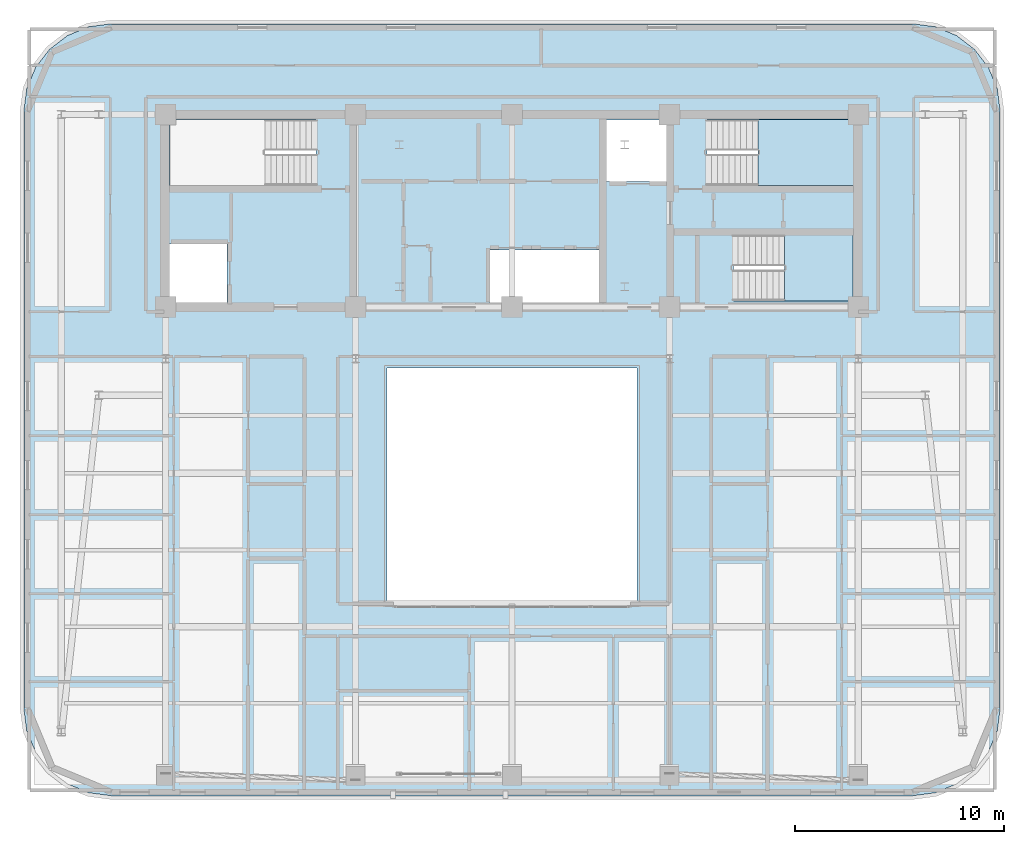
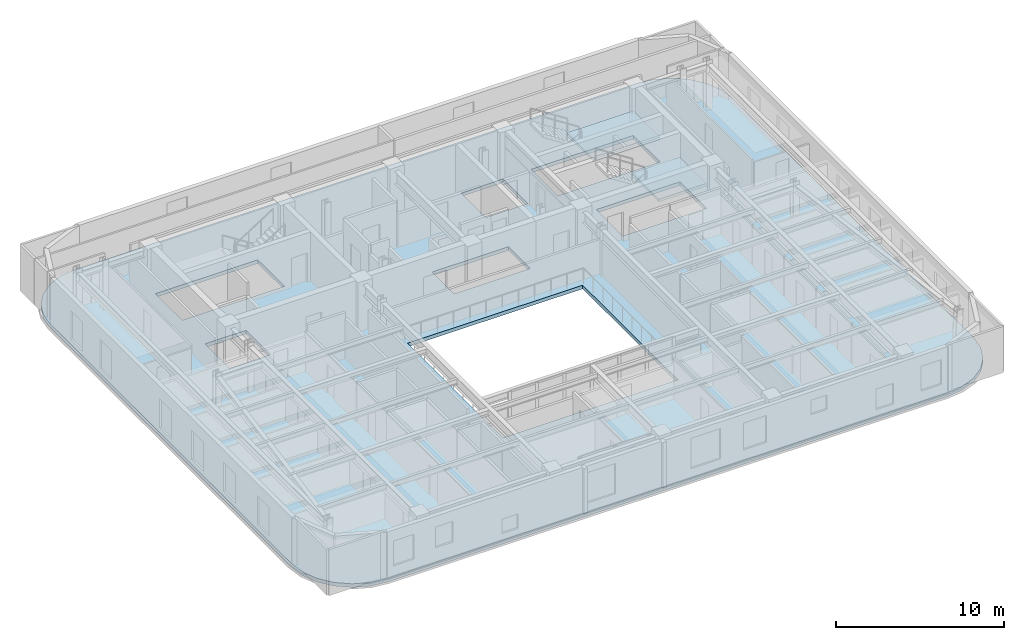
# One storey, part 4 of 14: 3 slabs, 2 elements without a shape of their own.
"""IFC4 building model written with IfcOpenShell, lengths in metres."""

from ifc_helpers import new_model, si_unit, direction, frame, origin, place, context, subcontext, project, spatial, polyline, outline, extrude, material, layer, layer_set, type_object, element, aggregate, save


model = new_model("IFC4")

# Units and contexts
model_context = context("Model", 3, precision=1e-05, world=origin(), true_north=direction((0.0, 1.0)))
body_context = subcontext(model_context, "Body", "Model", "MODEL_VIEW")
ifc_project = project(units=[si_unit("LENGTHUNIT", "METRE"), si_unit("AREAUNIT", "SQUARE_METRE"), si_unit("VOLUMEUNIT", "CUBIC_METRE"), si_unit("PLANEANGLEUNIT", "RADIAN"), si_unit("MASSUNIT", "GRAM", prefix="KILO")], contexts=[model_context])

# Site, building, storey
site_placement = place(None, origin())
site = spatial("IfcSite", under=ifc_project, at=site_placement, CompositionType="ELEMENT")
building_placement = place(site_placement, origin())
building = spatial("IfcBuilding", under=site, at=building_placement, Name="Zarnavel Station Tower", CompositionType="ELEMENT")
storey_placement = place(building_placement, frame((0.0, 0.0, 229.199951171875)))
storey = spatial("IfcBuildingStorey", under=building, at=storey_placement, Name="L62", CompositionType="ELEMENT", Elevation=229.199951171875)

# Slab
ifc_material_1 = material(Name="Concrete C45/55", Category="concrete")
ifc_layer_1 = layer(ifc_material_1, 0.260009765625)
ifc_layer_set_1 = layer_set([ifc_layer_1], Name="SL_FLR_260")
slab_type_1 = type_object("IfcSlabType", Name="SL_FLR_260", PredefinedType="FLOOR", material=ifc_layer_set_1)
slab_1_placement = place(storey_placement, frame((0.0, 0.0, -0.260009765625)))
element("IfcSlab", 1, at=slab_1_placement, inside=storey, type_object=slab_type_1, Name="L62 Structural Floor Slab", PredefinedType="FLOOR", context=body_context, shape_type="SweptSolid", body=[
    extrude(outline(polyline([(48.0, 4.39990234375), (49.0869140625, 4.543212890625), (50.10009765625, 4.962646484375), (50.9697265625, 5.630126953125), (51.63720703125, 6.5), (52.056884765625, 7.512939453125), (52.199951171875, 8.60009765625), (52.199951171875, 37.199951171875), (52.056884765625, 38.287109375), (51.63720703125, 39.300048828125), (50.9697265625, 40.169921875), (50.10009765625, 40.83740234375), (49.0869140625, 41.2568359375), (48.0, 41.39990234375), (9.60009765625, 41.39990234375), (8.512939453125, 41.2568359375), (7.5, 40.83740234375), (6.630126953125, 40.169921875), (5.962646484375, 39.300048828125), (5.543212890625, 38.287109375), (5.39990234375, 37.199951171875), (5.39990234375, 8.60009765625), (5.543212890625, 7.512939453125), (5.962646484375, 6.5), (6.630126953125, 5.630126953125), (7.5, 4.962646484375), (8.512939453125, 4.543212890625), (9.60009765625, 4.39990234375), (48.0, 4.39990234375)]), holes=[polyline([(12.39990234375, 33.659912109375), (19.409912109375, 33.659912109375), (19.409912109375, 36.820068359375), (12.39990234375, 36.820068359375), (12.39990234375, 33.659912109375)]), polyline([(38.14990234375, 33.659912109375), (45.159912109375, 33.659912109375), (45.159912109375, 36.820068359375), (38.14990234375, 36.820068359375), (38.14990234375, 33.659912109375)]), polyline([(39.419921875, 28.1201171875), (45.14990234375, 28.1201171875), (45.14990234375, 31.280029296875), (39.419921875, 31.280029296875), (39.419921875, 28.1201171875)]), polyline([(12.35009765625, 27.949951171875), (15.14990234375, 27.949951171875), (15.14990234375, 30.85009765625), (12.35009765625, 30.85009765625), (12.35009765625, 27.949951171875)]), polyline([(33.320068359375, 33.85009765625), (36.2099609375, 33.85009765625), (36.2099609375, 36.780029296875), (33.320068359375, 36.780029296875), (33.320068359375, 33.85009765625)]), polyline([(27.75, 27.949951171875), (32.97998046875, 27.949951171875), (32.97998046875, 30.550048828125), (27.75, 30.550048828125), (27.75, 27.949951171875)]), polyline([(22.800048828125, 13.60009765625), (34.800048828125, 13.60009765625), (34.800048828125, 24.89990234375), (22.800048828125, 24.89990234375), (22.800048828125, 13.60009765625)])]), origin(), (0.0, 0.0, 1.0), 0.260009765625),
])

# Stair, slab
ifc_material_2 = material(Name="Concrete C45/55", Category="concrete")
stair_type = type_object("IfcStairType", Name="ST_CORE_150", PredefinedType="HALF_TURN_STAIR", material=ifc_material_2)
stair_1_placement = place(storey_placement, origin())
stair_1 = element("IfcStair", 2, at=stair_1_placement, inside=storey, type_object=stair_type, Name="L62 Core Exit Stair ST2", PredefinedType="HALF_TURN_STAIR")
ifc_material_3 = material(Name="Concrete C45/55", Category="concrete")
ifc_layer_2 = layer(ifc_material_3, 0.199951171875)
ifc_layer_set_2 = layer_set([ifc_layer_2], Name="SL_STAIR_LAND_200")
slab_type_2 = type_object("IfcSlabType", Name="SL_STAIR_LAND_200", PredefinedType="LANDING", material=ifc_layer_set_2)
slab_2_placement = place(storey_placement, frame((0.0, 0.0, 1.60009765625)))
slab_2 = element("IfcSlab", 3, at=slab_2_placement, type_object=slab_type_2, Name="ST2 landing 1", PredefinedType="LANDING", context=body_context, shape_type="SweptSolid", body=[
    extrude(outline(polyline([(40.60009765625, 33.659912109375), (45.159912109375, 33.659912109375), (45.159912109375, 36.820068359375), (40.60009765625, 36.820068359375), (40.60009765625, 33.659912109375)])), origin(), (0.0, 0.0, 1.0), 0.199951171875),
])
aggregate(stair_1, [slab_2])

stair_2_placement = place(storey_placement, origin())
stair_2 = element("IfcStair", 4, at=stair_2_placement, inside=storey, type_object=stair_type, Name="L62 Core Exit Stair ST3", PredefinedType="HALF_TURN_STAIR")
slab_3_placement = place(storey_placement, frame((0.0, 0.0, 1.60009765625)))
slab_3 = element("IfcSlab", 5, at=slab_3_placement, type_object=slab_type_2, Name="ST3 landing 1", PredefinedType="LANDING", context=body_context, shape_type="SweptSolid", body=[
    extrude(outline(polyline([(41.8701171875, 28.1201171875), (45.14990234375, 28.1201171875), (45.14990234375, 31.280029296875), (41.8701171875, 31.280029296875), (41.8701171875, 28.1201171875)])), origin(), (0.0, 0.0, 1.0), 0.199951171875),
])
aggregate(stair_2, [slab_3])

save(model, "model.ifc")
